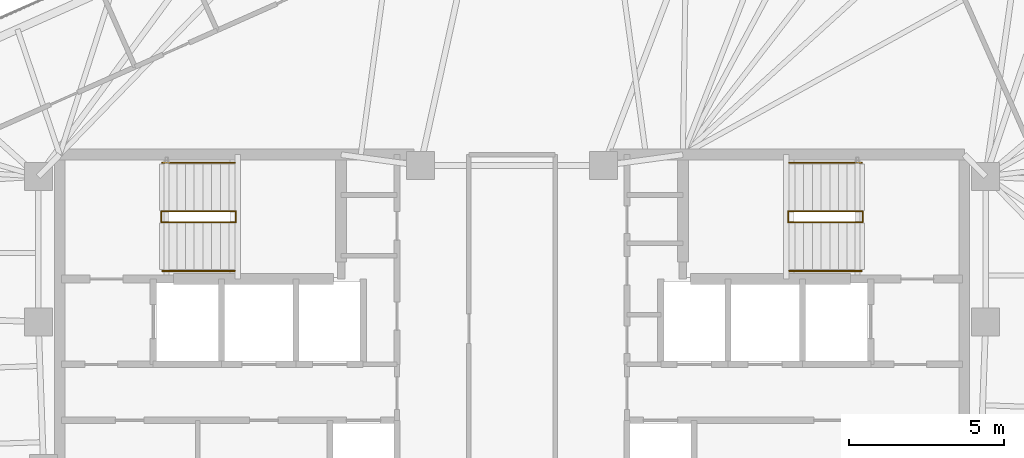
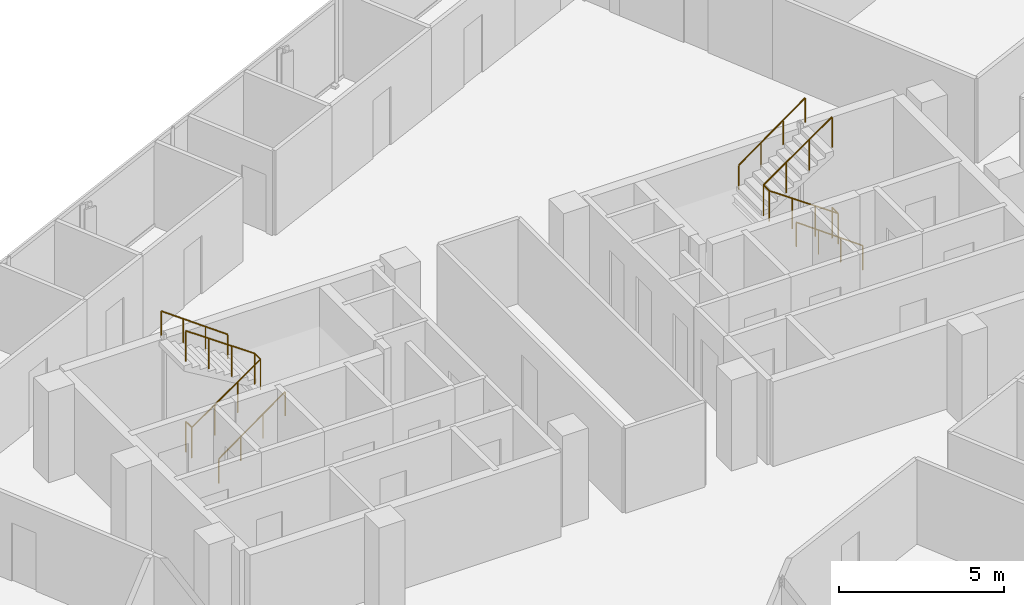
# One storey, part 18 of 18: 6 railings.
"""IFC4 building model written with IfcOpenShell, lengths in metres."""

from ifc_helpers import new_model, si_unit, direction, frame, origin, origin_2d, place, context, subcontext, project, spatial, circle, extrude, material, type_object, element, save


model = new_model("IFC4")

# Units and contexts
model_context = context("Model", 3, precision=1e-05, world=origin(), true_north=direction((0.0, 1.0)))
body_context = subcontext(model_context, "Body", "Model", "MODEL_VIEW")
ifc_project = project(units=[si_unit("LENGTHUNIT", "METRE"), si_unit("AREAUNIT", "SQUARE_METRE"), si_unit("VOLUMEUNIT", "CUBIC_METRE"), si_unit("PLANEANGLEUNIT", "RADIAN"), si_unit("MASSUNIT", "GRAM", prefix="KILO")], contexts=[model_context])

# Site, building, storey
site_placement = place(None, origin())
site = spatial("IfcSite", under=ifc_project, at=site_placement, CompositionType="ELEMENT")
building_placement = place(site_placement, origin())
building = spatial("IfcBuilding", under=site, at=building_placement, Name="Menara Jurai Vektor", CompositionType="ELEMENT")
storey_placement = place(building_placement, frame((0.0, 0.0, 298.64990234375)))
storey = spatial("IfcBuildingStorey", under=building, at=storey_placement, Name="L80", CompositionType="ELEMENT", Elevation=298.64990234375)

# Railings
ifc_material_1 = material(Name="Painted Galvanised Steel Balustrade", Category="steel")
railing_type_1 = type_object("IfcRailingType", Name="RAIL-STAIR-GUARD", PredefinedType="GUARDRAIL", material=ifc_material_1)
railing_1_placement = place(storey_placement, frame((-11.2900390625, 3.780029296875, 0.0)))
element("IfcRailing", 1, at=railing_1_placement, inside=storey, type_object=railing_type_1, Name="ST1 Stair Guardrail 1 L80", PredefinedType="GUARDRAIL", context=body_context, shape_type="SweptSolid", body=[
    extrude(circle(Radius=0.02392578125, at=origin_2d()), frame((0.0, 0.0, 1.1259765625), z_axis=(0.0, -1.0, 0.0), x_axis=(1.0, 0.0, 0.0)), (0.0, 0.0, 1.0), 0.360107421875),
    extrude(circle(Radius=0.02392578125, at=origin_2d()), frame((0.0, -0.360107421875, 1.1259765625), z_axis=(0.820042287322, 0.0, 0.572302932898), x_axis=(0.0, 1.0, 0.0)), (0.0, 0.0, 1.0), 2.9267578125),
    extrude(circle(Radius=0.02392578125, at=origin_2d()), frame((2.400146484375, -0.360107421875, 2.80078125), z_axis=(0.0, 1.0, 0.0), x_axis=(-1.0, 0.0, 0.0)), (0.0, 0.0, 1.0), 0.360107421875),
    extrude(circle(Radius=0.02392578125, at=origin_2d()), frame((2.400146484375, 0.0, 2.80078125), z_axis=(-0.820042287322, 0.0, 0.572302932898), x_axis=(0.0, -1.0, 0.0)), (0.0, 0.0, 1.0), 2.9267578125),
    extrude(circle(Radius=0.02099609375, at=origin_2d()), origin(), (0.0, 0.0, 1.0), 1.101806640625),
    extrude(circle(Radius=0.02099609375, at=origin_2d()), frame((0.0, -0.360107421875, 0.0)), (0.0, 0.0, 1.0), 1.101806640625),
    extrude(circle(Radius=0.02099609375, at=origin_2d()), frame((0.800048828125, -0.360107421875, 0.558349609375)), (0.0, 0.0, 1.0), 1.101806640625),
    extrude(circle(Radius=0.02099609375, at=origin_2d()), frame((1.60009765625, -0.360107421875, 1.11669921875)), (0.0, 0.0, 1.0), 1.101806640625),
    extrude(circle(Radius=0.02099609375, at=origin_2d()), frame((2.400146484375, -0.360107421875, 1.675048828125)), (0.0, 0.0, 1.0), 1.101806640625),
    extrude(circle(Radius=0.02099609375, at=origin_2d()), frame((2.400146484375, 0.0, 1.675048828125)), (0.0, 0.0, 1.0), 1.101806640625),
    extrude(circle(Radius=0.02099609375, at=origin_2d()), frame((1.60009765625, 0.0, 2.2333984375)), (0.0, 0.0, 1.0), 1.101806640625),
    extrude(circle(Radius=0.02099609375, at=origin_2d()), frame((0.800048828125, 0.0, 2.791748046875)), (0.0, 0.0, 1.0), 1.101806640625),
    extrude(circle(Radius=0.02099609375, at=origin_2d()), frame((0.0, 0.0, 3.35009765625)), (0.0, 0.0, 1.0), 1.101806640625),
])
railing_2_placement = place(storey_placement, frame((11.2900390625, 3.780029296875, 0.0)))
element("IfcRailing", 2, at=railing_2_placement, inside=storey, type_object=railing_type_1, Name="ST2 Stair Guardrail 1 L80", PredefinedType="GUARDRAIL", context=body_context, shape_type="SweptSolid", body=[
    extrude(circle(Radius=0.02392578125, at=origin_2d()), frame((0.0, 0.0, 1.1259765625), z_axis=(0.0, -1.0, 0.0), x_axis=(1.0, 0.0, 0.0)), (0.0, 0.0, 1.0), 0.360107421875),
    extrude(circle(Radius=0.02392578125, at=origin_2d()), frame((0.0, -0.360107421875, 1.1259765625), z_axis=(-0.820042287322, 0.0, 0.572302932898), x_axis=(0.0, -1.0, 0.0)), (0.0, 0.0, 1.0), 2.9267578125),
    extrude(circle(Radius=0.02392578125, at=origin_2d()), frame((-2.400146484375, -0.360107421875, 2.80078125), z_axis=(0.0, 1.0, 0.0), x_axis=(-1.0, 0.0, 0.0)), (0.0, 0.0, 1.0), 0.360107421875),
    extrude(circle(Radius=0.02392578125, at=origin_2d()), frame((-2.400146484375, 0.0, 2.80078125), z_axis=(0.820042287322, 0.0, 0.572302932898), x_axis=(0.0, 1.0, 0.0)), (0.0, 0.0, 1.0), 2.9267578125),
    extrude(circle(Radius=0.02099609375, at=origin_2d()), origin(), (0.0, 0.0, 1.0), 1.101806640625),
    extrude(circle(Radius=0.02099609375, at=origin_2d()), frame((0.0, -0.360107421875, 0.0)), (0.0, 0.0, 1.0), 1.101806640625),
    extrude(circle(Radius=0.02099609375, at=origin_2d()), frame((-0.800048828125, -0.360107421875, 0.558349609375)), (0.0, 0.0, 1.0), 1.101806640625),
    extrude(circle(Radius=0.02099609375, at=origin_2d()), frame((-1.60009765625, -0.360107421875, 1.11669921875)), (0.0, 0.0, 1.0), 1.101806640625),
    extrude(circle(Radius=0.02099609375, at=origin_2d()), frame((-2.400146484375, -0.360107421875, 1.675048828125)), (0.0, 0.0, 1.0), 1.101806640625),
    extrude(circle(Radius=0.02099609375, at=origin_2d()), frame((-2.400146484375, 0.0, 1.675048828125)), (0.0, 0.0, 1.0), 1.101806640625),
    extrude(circle(Radius=0.02099609375, at=origin_2d()), frame((-1.60009765625, 0.0, 2.2333984375)), (0.0, 0.0, 1.0), 1.101806640625),
    extrude(circle(Radius=0.02099609375, at=origin_2d()), frame((-0.800048828125, 0.0, 2.791748046875)), (0.0, 0.0, 1.0), 1.101806640625),
    extrude(circle(Radius=0.02099609375, at=origin_2d()), frame((0.0, 0.0, 3.35009765625)), (0.0, 0.0, 1.0), 1.101806640625),
])
ifc_material_2 = material(Name="Brushed Stainless Steel Handrail", Category="steel")
railing_type_2 = type_object("IfcRailingType", Name="RAIL-STAIR-HAND", PredefinedType="HANDRAIL", material=ifc_material_2)
railing_3_placement = place(storey_placement, frame((-11.25, 1.860107421875, 0.0)))
element("IfcRailing", 3, at=railing_3_placement, inside=storey, type_object=railing_type_2, Name="ST1 Stair Handrail 1 L80", PredefinedType="HANDRAIL", context=body_context, shape_type="SweptSolid", body=[
    extrude(circle(Radius=0.02392578125, at=origin_2d()), frame((0.0, 0.0, 0.89599609375), z_axis=(0.810771458067, 0.0, 0.585362830032), x_axis=(0.0, 1.0, 0.0)), (0.0, 0.0, 1.0), 2.861572265625),
    extrude(circle(Radius=0.02099609375, at=origin_2d()), origin(), (0.0, 0.0, 1.0), 0.871826171875),
    extrude(circle(Radius=0.02099609375, at=origin_2d()), frame((0.7734375, 0.0, 0.558349609375)), (0.0, 0.0, 1.0), 0.871826171875),
    extrude(circle(Radius=0.02099609375, at=origin_2d()), frame((1.546630859375, 0.0, 1.11669921875)), (0.0, 0.0, 1.0), 0.871826171875),
    extrude(circle(Radius=0.02099609375, at=origin_2d()), frame((2.320068359375, 0.0, 1.675048828125)), (0.0, 0.0, 1.0), 0.871826171875),
])
for number, where, name in (
    (4, (-8.929931640625, 5.340087890625, 1.675048828125), "ST1 Stair Handrail 2 L80"),
    (5, (11.25, 1.860107421875, 0.0), "ST2 Stair Handrail 1 L80"),
):
    element("IfcRailing", number, at=place(storey_placement, frame(where)), inside=storey, type_object=railing_type_2, Name=name, PredefinedType="HANDRAIL", context=body_context, shape_type="SweptSolid", body=[
        extrude(circle(Radius=0.02392578125, at=origin_2d()), frame((0.0, 0.0, 0.89599609375), z_axis=(-0.810771458067, 0.0, 0.585362830032), x_axis=(0.0, -1.0, 0.0)), (0.0, 0.0, 1.0), 2.861572265625),
        extrude(circle(Radius=0.02099609375, at=origin_2d()), origin(), (0.0, 0.0, 1.0), 0.871826171875),
        extrude(circle(Radius=0.02099609375, at=origin_2d()), frame((-0.7734375, 0.0, 0.558349609375)), (0.0, 0.0, 1.0), 0.871826171875),
        extrude(circle(Radius=0.02099609375, at=origin_2d()), frame((-1.546630859375, 0.0, 1.11669921875)), (0.0, 0.0, 1.0), 0.871826171875),
        extrude(circle(Radius=0.02099609375, at=origin_2d()), frame((-2.320068359375, 0.0, 1.675048828125)), (0.0, 0.0, 1.0), 0.871826171875),
    ])
railing_4_placement = place(storey_placement, frame((8.929931640625, 5.340087890625, 1.675048828125)))
element("IfcRailing", 6, at=railing_4_placement, inside=storey, type_object=railing_type_2, Name="ST2 Stair Handrail 2 L80", PredefinedType="HANDRAIL", context=body_context, shape_type="SweptSolid", body=[
    extrude(circle(Radius=0.02392578125, at=origin_2d()), frame((0.0, 0.0, 0.89599609375), z_axis=(0.810771458067, 0.0, 0.585362830032), x_axis=(0.0, 1.0, 0.0)), (0.0, 0.0, 1.0), 2.861572265625),
    extrude(circle(Radius=0.02099609375, at=origin_2d()), origin(), (0.0, 0.0, 1.0), 0.871826171875),
    extrude(circle(Radius=0.02099609375, at=origin_2d()), frame((0.7734375, 0.0, 0.558349609375)), (0.0, 0.0, 1.0), 0.871826171875),
    extrude(circle(Radius=0.02099609375, at=origin_2d()), frame((1.546630859375, 0.0, 1.11669921875)), (0.0, 0.0, 1.0), 0.871826171875),
    extrude(circle(Radius=0.02099609375, at=origin_2d()), frame((2.320068359375, 0.0, 1.675048828125)), (0.0, 0.0, 1.0), 0.871826171875),
])

save(model, "model.ifc")
